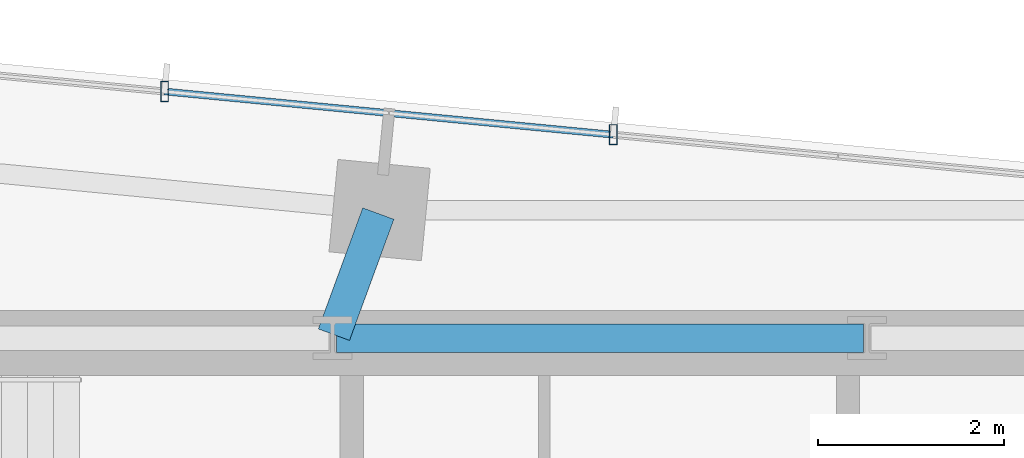
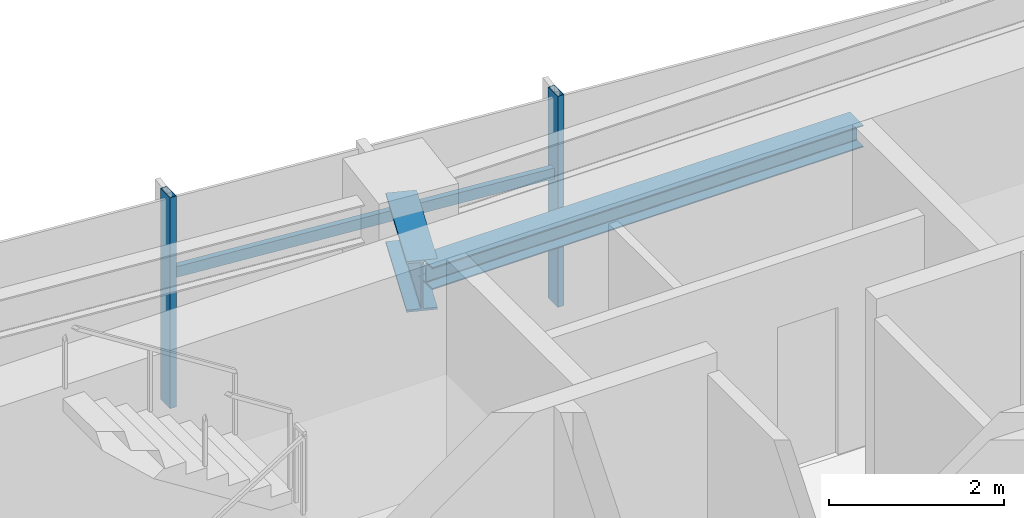
# One storey, part 8 of 20: 3 members, 2 beams, 1 element without a shape of its own.
"""IFC4 building model written with IfcOpenShell, lengths in metres."""

from ifc_helpers import new_model, si_unit, direction, frame, origin, origin_2d, place, context, subcontext, project, spatial, hollow_rectangle, i_section, extrude, source, transform, mapped, material, material_profile, profile_set, type_object, type_shapes, element, aggregate, save


model = new_model("IFC4")

# Units and contexts
model_context = context("Model", 3, precision=1e-05, world=origin(), true_north=direction((0.0, 1.0)))
body_context = subcontext(model_context, "Body", "Model", "MODEL_VIEW")
ifc_project = project(units=[si_unit("LENGTHUNIT", "METRE"), si_unit("AREAUNIT", "SQUARE_METRE"), si_unit("VOLUMEUNIT", "CUBIC_METRE"), si_unit("PLANEANGLEUNIT", "RADIAN"), si_unit("MASSUNIT", "GRAM", prefix="KILO")], contexts=[model_context])

# Site, building, storey
site_placement = place(None, origin())
site = spatial("IfcSite", under=ifc_project, at=site_placement, CompositionType="ELEMENT")
building_placement = place(site_placement, origin())
building = spatial("IfcBuilding", under=site, at=building_placement, Name="Astriad Promenade Condominiums", CompositionType="ELEMENT")
storey_placement = place(building_placement, frame((0.0, 0.0, 153.39990234375)))
storey = spatial("IfcBuildingStorey", under=building, at=storey_placement, Name="L44", CompositionType="ELEMENT", Elevation=153.39990234375)

# Beams
ifc_material_1 = material(Name="Steel ASTM A992 Grade 50", Category="steel")
ifc_material_profile_1 = material_profile(ifc_material_1, i_section(OverallWidth=0.3046875, OverallDepth=0.307861328125, WebThickness=0.010009765625, FlangeThickness=0.015380859375, FilletRadius=0.01513671875, at=origin_2d()), Name="W12X65")
ifc_profile_set_1 = profile_set([ifc_material_profile_1], Name="Steel ASTM A992 Grade 50")
beam_type_1 = type_object("IfcBeamType", Name="STEEL OPENING LINTEL W12X65", PredefinedType="LINTEL", material=ifc_profile_set_1)
shared_shape_1 = source(origin(), body_context, "Body", "SweptSolid", [
    extrude(i_section(OverallWidth=0.3046875, OverallDepth=0.307861328125, WebThickness=0.010009765625, FlangeThickness=0.015380859375, FilletRadius=0.01513671875, at=origin_2d()), origin(), (0.0, 0.0, 1.0), 5.68017578125),
])
type_shapes(beam_type_1, [shared_shape_1])
beam_1_placement = place(storey_placement, frame((33.159912109375, 24.0, 2.7861328125), z_axis=(1.0, 0.0, 0.0), x_axis=(0.0, 1.0, 0.0)))
element("IfcBeam", 1, at=beam_1_placement, inside=storey, type_object=beam_type_1, Name="Core Ring Beam CG-N2-L44", PredefinedType="LINTEL", context=body_context, shape_type="MappedRepresentation", body=[
    mapped(shared_shape_1, transform((0.0, 0.0, 0.0), scale=1.0)),
])
ifc_material_profile_2 = material_profile(ifc_material_1, i_section(OverallWidth=0.35791015625, OverallDepth=0.706298828125, WebThickness=0.018310546875, FlangeThickness=0.0302734375, FilletRadius=0.020263671875, at=origin_2d()), Name="W27X178")
ifc_profile_set_2 = profile_set([ifc_material_profile_2], Name="Steel ASTM A992 Grade 50")
beam_type_2 = type_object("IfcBeamType", Name="STEEL FLOOR GIRDER W27X178", PredefinedType="BEAM", material=ifc_profile_set_2)
shared_shape_2 = source(origin(), body_context, "Body", "SweptSolid", [
    extrude(i_section(OverallWidth=0.35791015625, OverallDepth=0.706298828125, WebThickness=0.018310546875, FlangeThickness=0.0302734375, FilletRadius=0.020263671875, at=origin_2d()), origin(), (0.0, 0.0, 1.0), 1.39013671875),
])
type_shapes(beam_type_2, [shared_shape_2])
beam_2_placement = place(storey_placement, frame((33.6123046875, 25.3427734375, 2.5869140625), z_axis=(-0.344223686797, -0.938887668173, 0.0), x_axis=(0.938887668173, -0.344223686797, 0.0)))
element("IfcBeam", 2, at=beam_2_placement, inside=storey, type_object=beam_type_2, Name="Primary Floor Girder PG-NC-L44", PredefinedType="BEAM", context=body_context, shape_type="MappedRepresentation", body=[
    mapped(shared_shape_2, transform((0.0, 0.0, 0.0), scale=1.0)),
])

# Curtain wall, members
ifc_material_2 = material(Name="Anodised aluminium Black Dark Glass Unitised", Category="aluminium")
curtain_wall_type = type_object("IfcCurtainWallType", Name="CW-B34-DARK", PredefinedType="USERDEFINED", material=ifc_material_2)
curtain_wall_placement = place(storey_placement, origin())
curtain_wall = element("IfcCurtainWall", 3, at=curtain_wall_placement, inside=storey, type_object=curtain_wall_type, Name="CW-L44-N", ObjectType="UNITISED_CURTAIN_WALL", PredefinedType="USERDEFINED")
ifc_material_3 = material(Name="Anodised aluminium 6063-T6 Black", Category="aluminium")
ifc_material_profile_3 = material_profile(ifc_material_3, hollow_rectangle(XDim=0.074951171875, YDim=0.14990234375, WallThickness=0.004150390625, at=origin_2d()), Name="ALU-TRN-75X150")
ifc_profile_set_3 = profile_set([ifc_material_profile_3], Name="Anodised aluminium 6063-T6 Black")
member_type_1 = type_object("IfcMemberType", Name="TRN-ALU-TRN-75X150", PredefinedType="USERDEFINED", material=ifc_profile_set_3)
shared_shape_3 = source(origin(), body_context, "Body", "SweptSolid", [
    extrude(hollow_rectangle(XDim=0.074951171875, YDim=0.14990234375, WallThickness=0.004150390625, at=origin_2d()), origin(), (0.0, 0.0, 1.0), 4.860107421875),
])
type_shapes(member_type_1, [shared_shape_3])
member_1_placement = place(storey_placement, frame((31.30810546875, 26.658447265625, 1.822998046875), z_axis=(0.995391248663, -0.09589714326, 0.0), x_axis=(0.09589714326, 0.995391248663, 0.0)))
member_1 = element("IfcMember", 4, at=member_1_placement, type_object=member_type_1, Name="CW-L44-N-TRN-01-0", ObjectType="TRANSOM", PredefinedType="USERDEFINED", context=body_context, shape_type="MappedRepresentation", body=[
    mapped(shared_shape_3, transform((0.0, 0.0, 0.0), scale=1.0)),
])
ifc_material_profile_4 = material_profile(ifc_material_3, hollow_rectangle(XDim=0.0849609375, YDim=0.219970703125, WallThickness=0.0048828125, at=origin_2d()), Name="ALU-MUL-85X220")
ifc_profile_set_4 = profile_set([ifc_material_profile_4], Name="Anodised aluminium 6063-T6 Black")
member_type_2 = type_object("IfcMemberType", Name="MUL-ALU-MUL-85X220", PredefinedType="MULLION", material=ifc_profile_set_4)
shared_shape_4 = source(origin(), body_context, "Body", "SweptSolid", [
    extrude(hollow_rectangle(XDim=0.0849609375, YDim=0.219970703125, WallThickness=0.0048828125, at=origin_2d()), origin(), (0.0, 0.0, 1.0), 2.940185546875),
])
type_shapes(member_type_2, [shared_shape_4])
member_2_placement = place(storey_placement, frame((31.30810546875, 26.658447265625, 0.0), z_axis=(0.0, 0.0, 1.0), x_axis=(1.0, 0.0, 0.0)))
member_2 = element("IfcMember", 5, at=member_2_placement, type_object=member_type_2, Name="CW-L44-N-MUL-01", PredefinedType="MULLION", context=body_context, shape_type="MappedRepresentation", body=[
    mapped(shared_shape_4, transform((0.0, 0.0, 0.0), scale=1.0)),
])
member_3_placement = place(storey_placement, frame((36.145751953125, 26.1923828125, 0.0), z_axis=(0.0, 0.0, 1.0), x_axis=(1.0, 0.0, 0.0)))
member_3 = element("IfcMember", 6, at=member_3_placement, type_object=member_type_2, Name="CW-L44-N-MUL-02", PredefinedType="MULLION", context=body_context, shape_type="MappedRepresentation", body=[
    mapped(shared_shape_4, transform((0.0, 0.0, 0.0), scale=1.0)),
])
aggregate(curtain_wall, [member_2, member_3, member_1])

save(model, "model.ifc")
